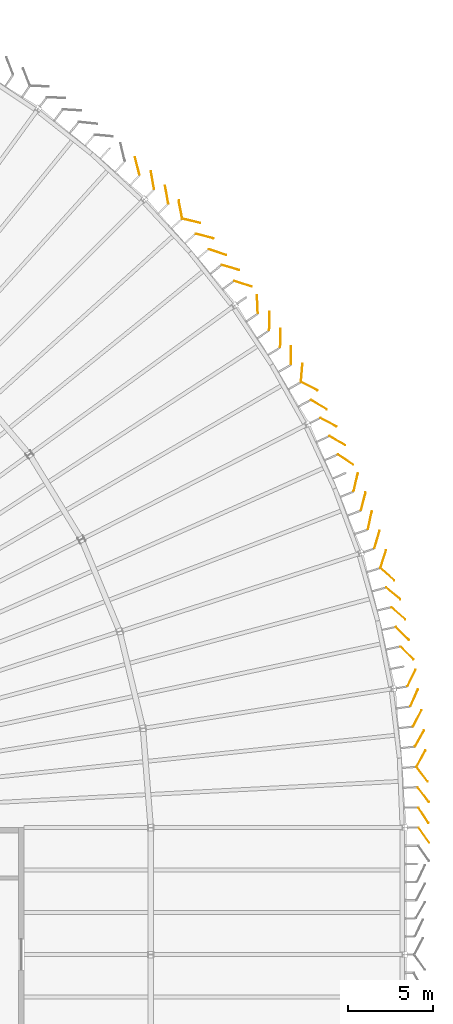
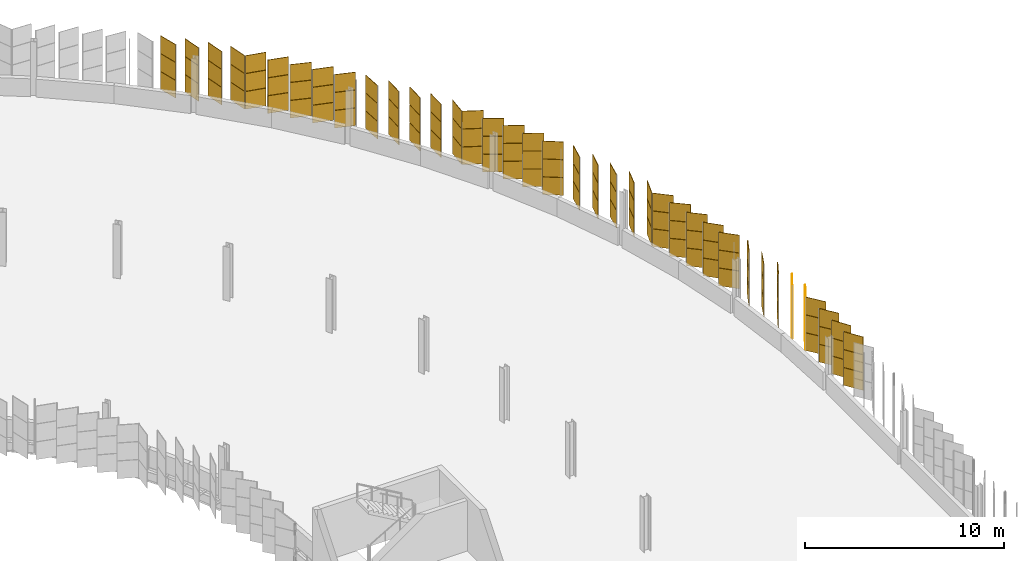
# One storey, part 210 of 214: 114 coverings.
"""IFC4 building model written with IfcOpenShell, lengths in metres."""

from ifc_helpers import new_model, si_unit, direction, frame, origin, origin_2d, place, context, subcontext, project, spatial, rectangle, extrude, material, layer, layer_set, type_object, element, save


model = new_model("IFC4")

# Units and contexts
model_context = context("Model", 3, precision=1e-05, world=origin(), true_north=direction((0.0, 1.0)))
body_context = subcontext(model_context, "Body", "Model", "MODEL_VIEW")
ifc_project = project(units=[si_unit("LENGTHUNIT", "METRE"), si_unit("AREAUNIT", "SQUARE_METRE"), si_unit("VOLUMEUNIT", "CUBIC_METRE"), si_unit("PLANEANGLEUNIT", "RADIAN"), si_unit("MASSUNIT", "GRAM", prefix="KILO")], contexts=[model_context])

# Site, building, storey
site_placement = place(None, origin())
site = spatial("IfcSite", under=ifc_project, at=site_placement, CompositionType="ELEMENT")
building_placement = place(site_placement, origin())
building = spatial("IfcBuilding", under=site, at=building_placement, Name="Parallax Yard Mobility Hub", CompositionType="ELEMENT")
storey_placement = place(building_placement, frame((0.0, 0.0, 3.300048828125)))
storey = spatial("IfcBuildingStorey", under=building, at=storey_placement, Name="L01", CompositionType="ELEMENT", Elevation=3.300048828125)

# Coverings
ifc_material_1 = material(Name="Aluminium panel, light oak finish", Category="aluminium")
ifc_layer_1 = layer(ifc_material_1, 0.030029296875)
ifc_layer_set_1 = layer_set([ifc_layer_1], Name="Skin panel 32.5 degree turn, oak finish")
covering_type_1 = type_object("IfcCoveringType", Name="Skin panel 32.5 degree turn, oak finish", PredefinedType="CLADDING", material=ifc_layer_set_1)
for number, where, z_axis, x_axis, name in (
    (1, (226.1123046875, 90.729248046875, 1.119873046875), (0.0, 0.0, 1.0), (0.54928828444, -0.835632922148, 0.0), "Skin panel 32.5 bay 41.1 row 2 level L01"),
    (2, (226.1123046875, 90.729248046875, 2.219970703125), (0.0, 0.0, 1.0), (0.54928828444, -0.835632922148, 0.0), "Skin panel 32.5 bay 41.1 row 3 level L01"),
    (3, (225.962646484375, 94.07958984375, 1.119873046875), (0.0, 0.0, 1.0), (0.475763913222, 0.879573020775, 0.0), "Skin panel 32.5 bay 41.4 row 2 level L01"),
    (4, (225.962646484375, 94.07958984375, 2.219970703125), (0.0, 0.0, 1.0), (0.475763913222, 0.879573020775, 0.0), "Skin panel 32.5 bay 41.4 row 3 level L01"),
    (5, (225.55908203125, 97.66455078125, 1.119873046875), (0.0, 0.0, 1.0), (0.398749068925, 0.917060074385, 0.0), "Skin panel 32.5 bay 41.7 row 2 level L01"),
    (6, (225.55908203125, 97.66455078125, 2.219970703125), (0.0, 0.0, 1.0), (0.398749068925, 0.917060074385, 0.0), "Skin panel 32.5 bay 41.7 row 3 level L01"),
    (7, (224.877197265625, 101.465087890625, 1.119873046875), (0.0, 0.0, 1.0), (0.704296037355, -0.709906396482, 0.0), "Skin panel 32.5 bay 42.3 row 2 level L01"),
    (8, (224.877197265625, 101.465087890625, 2.219970703125), (0.0, 0.0, 1.0), (0.704296037355, -0.709906396482, 0.0), "Skin panel 32.5 bay 42.3 row 3 level L01"),
    (9, (223.97998046875, 104.96728515625, 1.119873046875), (0.0, 0.0, 1.0), (0.743675964311, -0.668540245689, 0.0), "Skin panel 32.5 bay 42.6 row 2 level L01"),
    (10, (223.97998046875, 104.96728515625, 2.219970703125), (0.0, 0.0, 1.0), (0.743675964311, -0.668540245689, 0.0), "Skin panel 32.5 bay 42.6 row 3 level L01"),
    (11, (222.9453125, 108.15087890625, 1.119873046875), (0.0, 0.0, 1.0), (0.208688396455, 0.977982184493, 0.0), "Skin panel 32.5 bay 43.2 row 2 level L01"),
    (12, (222.9453125, 108.15087890625, 2.219970703125), (0.0, 0.0, 1.0), (0.208688396455, 0.977982184493, 0.0), "Skin panel 32.5 bay 43.2 row 3 level L01"),
    (13, (221.513916015625, 111.737060546875, 1.119873046875), (0.0, 0.0, 1.0), (0.831249435826, -0.555899609138, 0.0), "Skin panel 32.5 bay 43.5 row 2 level L01"),
    (14, (221.513916015625, 111.737060546875, 2.219970703125), (0.0, 0.0, 1.0), (0.831249435826, -0.555899609138, 0.0), "Skin panel 32.5 bay 43.5 row 3 level L01"),
    (15, (219.9306640625, 114.98681640625, 1.119873046875), (0.0, 0.0, 1.0), (0.861629160442, -0.507538362961, 0.0), "Skin panel 32.5 bay 44.1 row 2 level L01"),
    (16, (219.9306640625, 114.98681640625, 2.219970703125), (0.0, 0.0, 1.0), (0.861629160442, -0.507538362961, 0.0), "Skin panel 32.5 bay 44.1 row 3 level L01"),
    (17, (218.281982421875, 117.900146484375, 1.119873046875), (0.0, 0.0, 1.0), (0.010312967731, 0.999946819934, 0.0), "Skin panel 32.5 bay 44.4 row 2 level L01"),
    (18, (218.281982421875, 117.900146484375, 2.219970703125), (0.0, 0.0, 1.0), (0.010312967731, 0.999946819934, 0.0), "Skin panel 32.5 bay 44.4 row 3 level L01"),
    (19, (216.301025390625, 120.924072265625, 1.119873046875), (0.0, 0.0, 1.0), (-0.046789151046, 0.998904787927, 0.0), "Skin panel 32.5 bay 44.7 row 2 level L01"),
    (20, (216.301025390625, 120.924072265625, 2.219970703125), (0.0, 0.0, 1.0), (-0.046789151046, 0.998904787927, 0.0), "Skin panel 32.5 bay 44.7 row 3 level L01"),
    (21, (213.95458984375, 123.99072265625, 1.119873046875), (0.0, 0.0, 1.0), (0.94525973574, -0.32631891148, 0.0), "Skin panel 32.5 bay 45.3 row 2 level L01"),
    (22, (213.95458984375, 123.99072265625, 2.219970703125), (0.0, 0.0, 1.0), (0.94525973574, -0.32631891148, 0.0), "Skin panel 32.5 bay 45.3 row 3 level L01"),
    (23, (211.7578125, 126.516845703125, 1.119873046875), (0.0, 0.0, 1.0), (-0.188471566651, 0.982078646832, 0.0), "Skin panel 32.5 bay 45.6 row 2 level L01"),
    (24, (211.7578125, 126.516845703125, 2.219970703125), (0.0, 0.0, 1.0), (-0.188471566651, 0.982078646832, 0.0), "Skin panel 32.5 bay 45.6 row 3 level L01"),
    (25, (209.208740234375, 129.080810546875, 1.119873046875), (0.0, 0.0, 1.0), (-0.244231122126, 0.969717050992, 0.0), "Skin panel 32.5 bay 46.2 row 2 level L01"),
    (26, (209.208740234375, 129.080810546875, 2.219970703125), (0.0, 0.0, 1.0), (-0.244231122126, 0.969717050992, 0.0), "Skin panel 32.5 bay 46.2 row 3 level L01"),
):
    element("IfcCovering", number, at=place(storey_placement, frame(where, z_axis=z_axis, x_axis=x_axis)), inside=storey, type_object=covering_type_1, Name=name, ObjectType="SCREEN", PredefinedType="CLADDING", context=body_context, shape_type="SweptSolid", body=[
        extrude(rectangle(XDim=1.080078125, YDim=0.030029296875, at=origin_2d()), origin(), (0.0, 0.0, 1.0), 1.080078125),
    ])
ifc_material_2 = material(Name="Aluminium panel, walnut finish", Category="aluminium")
ifc_layer_2 = layer(ifc_material_2, 0.030029296875)
ifc_layer_set_2 = layer_set([ifc_layer_2], Name="Skin panel 32.5 degree turn, walnut finish")
covering_type_2 = type_object("IfcCoveringType", Name="Skin panel 32.5 degree turn, walnut finish", PredefinedType="CLADDING", material=ifc_layer_set_2)
for number, where, z_axis, x_axis, name in (
    (27, (226.1123046875, 90.729248046875, 0.02001953125), (0.0, 0.0, 1.0), (0.54928828444, -0.835632922148, 0.0), "Skin panel 32.5 bay 41.1 row 1 level L01"),
    (28, (225.962646484375, 94.07958984375, 0.02001953125), (0.0, 0.0, 1.0), (0.475763913222, 0.879573020775, 0.0), "Skin panel 32.5 bay 41.4 row 1 level L01"),
    (29, (225.55908203125, 97.66455078125, 0.02001953125), (0.0, 0.0, 1.0), (0.398749068925, 0.917060074385, 0.0), "Skin panel 32.5 bay 41.7 row 1 level L01"),
    (30, (224.877197265625, 101.465087890625, 0.02001953125), (0.0, 0.0, 1.0), (0.704296037355, -0.709906396482, 0.0), "Skin panel 32.5 bay 42.3 row 1 level L01"),
    (31, (223.97998046875, 104.96728515625, 0.02001953125), (0.0, 0.0, 1.0), (0.743675964311, -0.668540245689, 0.0), "Skin panel 32.5 bay 42.6 row 1 level L01"),
    (32, (222.9453125, 108.15087890625, 0.02001953125), (0.0, 0.0, 1.0), (0.208688396455, 0.977982184493, 0.0), "Skin panel 32.5 bay 43.2 row 1 level L01"),
    (33, (221.513916015625, 111.737060546875, 0.02001953125), (0.0, 0.0, 1.0), (0.831249435826, -0.555899609138, 0.0), "Skin panel 32.5 bay 43.5 row 1 level L01"),
    (34, (219.9306640625, 114.98681640625, 0.02001953125), (0.0, 0.0, 1.0), (0.861629160442, -0.507538362961, 0.0), "Skin panel 32.5 bay 44.1 row 1 level L01"),
    (35, (218.281982421875, 117.900146484375, 0.02001953125), (0.0, 0.0, 1.0), (0.010312967731, 0.999946819934, 0.0), "Skin panel 32.5 bay 44.4 row 1 level L01"),
    (36, (216.301025390625, 120.924072265625, 0.02001953125), (0.0, 0.0, 1.0), (-0.046789151046, 0.998904787927, 0.0), "Skin panel 32.5 bay 44.7 row 1 level L01"),
    (37, (213.95458984375, 123.99072265625, 0.02001953125), (0.0, 0.0, 1.0), (0.94525973574, -0.32631891148, 0.0), "Skin panel 32.5 bay 45.3 row 1 level L01"),
    (38, (211.7578125, 126.516845703125, 0.02001953125), (0.0, 0.0, 1.0), (-0.188471566651, 0.982078646832, 0.0), "Skin panel 32.5 bay 45.6 row 1 level L01"),
    (39, (209.208740234375, 129.080810546875, 0.02001953125), (0.0, 0.0, 1.0), (-0.244231122126, 0.969717050992, 0.0), "Skin panel 32.5 bay 46.2 row 1 level L01"),
):
    element("IfcCovering", number, at=place(storey_placement, frame(where, z_axis=z_axis, x_axis=x_axis)), inside=storey, type_object=covering_type_2, Name=name, ObjectType="SCREEN", PredefinedType="CLADDING", context=body_context, shape_type="SweptSolid", body=[
        extrude(rectangle(XDim=1.080078125, YDim=0.030029296875, at=origin_2d()), origin(), (0.0, 0.0, 1.0), 1.080078125),
    ])
ifc_layer_3 = layer(ifc_material_1, 0.030029296875)
ifc_layer_set_3 = layer_set([ifc_layer_3], Name="Skin panel 35 degree turn, oak finish")
covering_type_3 = type_object("IfcCoveringType", Name="Skin panel 35 degree turn, oak finish", PredefinedType="CLADDING", material=ifc_layer_set_3)
for number, where, z_axis, x_axis, name in (
    (40, (226.142822265625, 89.55419921875, 1.119873046875), (0.0, 0.0, 1.0), (0.573576436351, -0.819152044289, 0.0), "Skin panel 35 bay 40.7 row 2 level L01"),
    (41, (226.142822265625, 89.55419921875, 2.219970703125), (0.0, 0.0, 1.0), (0.573576436351, -0.819152044289, 0.0), "Skin panel 35 bay 40.7 row 3 level L01"),
    (42, (226.103271484375, 91.951171875, 1.119873046875), (0.0, 0.0, 1.0), (0.608131215552, -0.793836522636, 0.0), "Skin panel 35 bay 41.2 row 2 level L01"),
    (43, (226.103271484375, 91.951171875, 2.219970703125), (0.0, 0.0, 1.0), (0.608131215552, -0.793836522636, 0.0), "Skin panel 35 bay 41.2 row 3 level L01"),
    (44, (226.0361328125, 93.1484375, 1.119873046875), (0.0, 0.0, 1.0), (0.608131215552, -0.793836522636, 0.0), "Skin panel 35 bay 41.3 row 2 level L01"),
    (45, (226.0361328125, 93.1484375, 2.219970703125), (0.0, 0.0, 1.0), (0.608131215552, -0.793836522636, 0.0), "Skin panel 35 bay 41.3 row 3 level L01"),
    (46, (225.8779296875, 95.271240234375, 1.119873046875), (0.0, 0.0, 1.0), (0.488966877106, 0.872302351879, 0.0), "Skin panel 35 bay 41.5 row 2 level L01"),
    (47, (225.8779296875, 95.271240234375, 2.219970703125), (0.0, 0.0, 1.0), (0.488966877106, 0.872302351879, 0.0), "Skin panel 35 bay 41.5 row 3 level L01"),
    (48, (225.745849609375, 96.457275390625, 1.119873046875), (0.0, 0.0, 1.0), (0.463858946586, 0.885909068512, 0.0), "Skin panel 35 bay 41.6 row 2 level L01"),
    (49, (225.745849609375, 96.457275390625, 2.219970703125), (0.0, 0.0, 1.0), (0.463858946586, 0.885909068512, 0.0), "Skin panel 35 bay 41.6 row 3 level L01"),
    (50, (225.406005859375, 98.8408203125, 1.119873046875), (0.0, 0.0, 1.0), (0.438371146789, 0.898794046299, 0.0), "Skin panel 35 bay 42.1 row 2 level L01"),
    (51, (225.406005859375, 98.8408203125, 2.219970703125), (0.0, 0.0, 1.0), (0.438371146789, 0.898794046299, 0.0), "Skin panel 35 bay 42.1 row 3 level L01"),
    (52, (225.135009765625, 100.313232421875, 1.119873046875), (0.0, 0.0, 1.0), (0.714917031434, -0.699209294965, 0.0), "Skin panel 35 bay 42.2 row 2 level L01"),
    (53, (225.135009765625, 100.313232421875, 2.219970703125), (0.0, 0.0, 1.0), (0.714917031434, -0.699209294965, 0.0), "Skin panel 35 bay 42.2 row 3 level L01"),
    (54, (224.62255859375, 102.660400390625, 1.119873046875), (0.0, 0.0, 1.0), (0.753667790395, -0.657255552826, 0.0), "Skin panel 35 bay 42.4 row 2 level L01"),
    (55, (224.62255859375, 102.660400390625, 2.219970703125), (0.0, 0.0, 1.0), (0.753667790395, -0.657255552826, 0.0), "Skin panel 35 bay 42.4 row 3 level L01"),
    (56, (224.326416015625, 103.83251953125, 1.119873046875), (0.0, 0.0, 1.0), (0.772129465524, -0.63546525355, 0.0), "Skin panel 35 bay 42.5 row 2 level L01"),
    (57, (224.326416015625, 103.83251953125, 2.219970703125), (0.0, 0.0, 1.0), (0.772129465524, -0.63546525355, 0.0), "Skin panel 35 bay 42.5 row 3 level L01"),
    (58, (223.736328125, 105.868896484375, 1.119873046875), (0.0, 0.0, 1.0), (0.305997733365, 0.952032240618, 0.0), "Skin panel 35 bay 42.7 row 2 level L01"),
    (59, (223.736328125, 105.868896484375, 2.219970703125), (0.0, 0.0, 1.0), (0.305997733365, 0.952032240618, 0.0), "Skin panel 35 bay 42.7 row 3 level L01"),
    (60, (223.366455078125, 107.019775390625, 1.119873046875), (0.0, 0.0, 1.0), (0.278686054753, 0.960382258732, 0.0), "Skin panel 35 bay 43.1 row 2 level L01"),
    (61, (223.366455078125, 107.019775390625, 2.219970703125), (0.0, 0.0, 1.0), (0.278686054753, 0.960382258732, 0.0), "Skin panel 35 bay 43.1 row 3 level L01"),
    (62, (222.55859375, 109.272705078125, 1.119873046875), (0.0, 0.0, 1.0), (0.251148755085, 0.967948502152, 0.0), "Skin panel 35 bay 43.3 row 2 level L01"),
    (63, (222.55859375, 109.272705078125, 2.219970703125), (0.0, 0.0, 1.0), (0.251148755085, 0.967948502152, 0.0), "Skin panel 35 bay 43.3 row 3 level L01"),
    (64, (222.109619140625, 110.394775390625, 1.119873046875), (0.0, 0.0, 1.0), (0.223404929604, 0.974725724206, 0.0), "Skin panel 35 bay 43.4 row 2 level L01"),
    (65, (222.109619140625, 110.394775390625, 2.219970703125), (0.0, 0.0, 1.0), (0.223404929604, 0.974725724206, 0.0), "Skin panel 35 bay 43.4 row 3 level L01"),
    (66, (221.024169921875, 112.856689453125, 1.119873046875), (0.0, 0.0, 1.0), (0.869180952867, -0.494494156864, 0.0), "Skin panel 35 bay 43.6 row 2 level L01"),
    (67, (221.024169921875, 112.856689453125, 2.219970703125), (0.0, 0.0, 1.0), (0.869180952867, -0.494494156864, 0.0), "Skin panel 35 bay 43.6 row 3 level L01"),
    (68, (220.498291015625, 113.945068359375, 1.119873046875), (0.0, 0.0, 1.0), (0.882947592859, -0.469471562786, 0.0), "Skin panel 35 bay 43.7 row 2 level L01"),
    (69, (220.498291015625, 113.945068359375, 2.219970703125), (0.0, 0.0, 1.0), (0.882947592859, -0.469471562786, 0.0), "Skin panel 35 bay 43.7 row 3 level L01"),
    (70, (219.3720703125, 116.073486328125, 1.119873046875), (0.0, 0.0, 1.0), (0.895994056125, -0.44406604395, 0.0), "Skin panel 35 bay 44.2 row 2 level L01"),
    (71, (219.3720703125, 116.073486328125, 2.219970703125), (0.0, 0.0, 1.0), (0.895994056125, -0.44406604395, 0.0), "Skin panel 35 bay 44.2 row 3 level L01"),
    (72, (218.91943359375, 116.875, 1.119873046875), (0.0, 0.0, 1.0), (0.082413371996, 0.996598232046, 0.0), "Skin panel 35 bay 44.3 row 2 level L01"),
    (73, (218.91943359375, 116.875, 2.219970703125), (0.0, 0.0, 1.0), (0.082413371996, 0.996598232046, 0.0), "Skin panel 35 bay 44.3 row 3 level L01"),
    (74, (217.66162109375, 118.921630859375, 1.119873046875), (0.0, 0.0, 1.0), (0.025383087454, 0.999677797528, 0.0), "Skin panel 35 bay 44.5 row 2 level L01"),
    (75, (217.66162109375, 118.921630859375, 2.219970703125), (0.0, 0.0, 1.0), (0.025383087454, 0.999677797528, 0.0), "Skin panel 35 bay 44.5 row 3 level L01"),
    (76, (217.011962890625, 119.929931640625, 1.119873046875), (0.0, 0.0, 1.0), (0.025383087454, 0.999677797528, 0.0), "Skin panel 35 bay 44.6 row 2 level L01"),
    (77, (217.011962890625, 119.929931640625, 2.219970703125), (0.0, 0.0, 1.0), (0.025383087454, 0.999677797528, 0.0), "Skin panel 35 bay 44.6 row 3 level L01"),
    (78, (215.4541015625, 122.123779296875, 1.119873046875), (0.0, 0.0, 1.0), (0.950071216759, -0.31203314421, 0.0), "Skin panel 35 bay 45.1 row 2 level L01"),
    (79, (215.4541015625, 122.123779296875, 2.219970703125), (0.0, 0.0, 1.0), (0.950071216759, -0.31203314421, 0.0), "Skin panel 35 bay 45.1 row 3 level L01"),
    (80, (214.72021484375, 123.084228515625, 1.119873046875), (0.0, 0.0, 1.0), (0.958593888928, -0.284776677608, 0.0), "Skin panel 35 bay 45.2 row 2 level L01"),
    (81, (214.72021484375, 123.084228515625, 2.219970703125), (0.0, 0.0, 1.0), (0.958593888928, -0.284776677608, 0.0), "Skin panel 35 bay 45.2 row 3 level L01"),
    (82, (213.188720703125, 124.943115234375, 1.119873046875), (0.0, 0.0, 1.0), (0.966335228027, -0.257286274555, 0.0), "Skin panel 35 bay 45.4 row 2 level L01"),
    (83, (213.188720703125, 124.943115234375, 2.219970703125), (0.0, 0.0, 1.0), (0.966335228027, -0.257286274555, 0.0), "Skin panel 35 bay 45.4 row 3 level L01"),
    (84, (212.404052734375, 125.8427734375, 1.119873046875), (0.0, 0.0, 1.0), (0.973288375226, -0.229586015799, 0.0), "Skin panel 35 bay 45.5 row 2 level L01"),
    (85, (212.404052734375, 125.8427734375, 2.219970703125), (0.0, 0.0, 1.0), (0.973288375226, -0.229586015799, 0.0), "Skin panel 35 bay 45.5 row 3 level L01"),
    (86, (210.944580078125, 127.392822265625, 1.119873046875), (0.0, 0.0, 1.0), (-0.173648177667, 0.984807753012, 0.0), "Skin panel 35 bay 45.7 row 2 level L01"),
    (87, (210.944580078125, 127.392822265625, 2.219970703125), (0.0, 0.0, 1.0), (-0.173648177667, 0.984807753012, 0.0), "Skin panel 35 bay 45.7 row 3 level L01"),
    (88, (210.10498046875, 128.25, 1.119873046875), (0.0, 0.0, 1.0), (-0.173648177667, 0.984807753012, 0.0), "Skin panel 35 bay 46.1 row 2 level L01"),
    (89, (210.10498046875, 128.25, 2.219970703125), (0.0, 0.0, 1.0), (-0.173648177667, 0.984807753012, 0.0), "Skin panel 35 bay 46.1 row 3 level L01"),
):
    element("IfcCovering", number, at=place(storey_placement, frame(where, z_axis=z_axis, x_axis=x_axis)), inside=storey, type_object=covering_type_3, Name=name, ObjectType="SCREEN", PredefinedType="CLADDING", context=body_context, shape_type="SweptSolid", body=[
        extrude(rectangle(XDim=1.080078125, YDim=0.030029296875, at=origin_2d()), origin(), (0.0, 0.0, 1.0), 1.080078125),
    ])
ifc_layer_4 = layer(ifc_material_2, 0.030029296875)
ifc_layer_set_4 = layer_set([ifc_layer_4], Name="Skin panel 35 degree turn, walnut finish")
covering_type_4 = type_object("IfcCoveringType", Name="Skin panel 35 degree turn, walnut finish", PredefinedType="CLADDING", material=ifc_layer_set_4)
for number, where, z_axis, x_axis, name in (
    (90, (226.142822265625, 89.55419921875, 0.02001953125), (0.0, 0.0, 1.0), (0.573576436351, -0.819152044289, 0.0), "Skin panel 35 bay 40.7 row 1 level L01"),
    (91, (226.103271484375, 91.951171875, 0.02001953125), (0.0, 0.0, 1.0), (0.608131215552, -0.793836522636, 0.0), "Skin panel 35 bay 41.2 row 1 level L01"),
    (92, (226.0361328125, 93.1484375, 0.02001953125), (0.0, 0.0, 1.0), (0.608131215552, -0.793836522636, 0.0), "Skin panel 35 bay 41.3 row 1 level L01"),
    (93, (225.8779296875, 95.271240234375, 0.02001953125), (0.0, 0.0, 1.0), (0.488966877106, 0.872302351879, 0.0), "Skin panel 35 bay 41.5 row 1 level L01"),
    (94, (225.745849609375, 96.457275390625, 0.02001953125), (0.0, 0.0, 1.0), (0.463858946586, 0.885909068512, 0.0), "Skin panel 35 bay 41.6 row 1 level L01"),
    (95, (225.406005859375, 98.8408203125, 0.02001953125), (0.0, 0.0, 1.0), (0.438371146789, 0.898794046299, 0.0), "Skin panel 35 bay 42.1 row 1 level L01"),
    (96, (225.135009765625, 100.313232421875, 0.02001953125), (0.0, 0.0, 1.0), (0.714917031434, -0.699209294965, 0.0), "Skin panel 35 bay 42.2 row 1 level L01"),
    (97, (224.62255859375, 102.660400390625, 0.02001953125), (0.0, 0.0, 1.0), (0.753667790395, -0.657255552826, 0.0), "Skin panel 35 bay 42.4 row 1 level L01"),
    (98, (224.326416015625, 103.83251953125, 0.02001953125), (0.0, 0.0, 1.0), (0.772129465524, -0.63546525355, 0.0), "Skin panel 35 bay 42.5 row 1 level L01"),
    (99, (223.736328125, 105.868896484375, 0.02001953125), (0.0, 0.0, 1.0), (0.305997733365, 0.952032240618, 0.0), "Skin panel 35 bay 42.7 row 1 level L01"),
    (100, (223.366455078125, 107.019775390625, 0.02001953125), (0.0, 0.0, 1.0), (0.278686054753, 0.960382258732, 0.0), "Skin panel 35 bay 43.1 row 1 level L01"),
    (101, (222.55859375, 109.272705078125, 0.02001953125), (0.0, 0.0, 1.0), (0.251148755085, 0.967948502152, 0.0), "Skin panel 35 bay 43.3 row 1 level L01"),
    (102, (222.109619140625, 110.394775390625, 0.02001953125), (0.0, 0.0, 1.0), (0.223404929604, 0.974725724206, 0.0), "Skin panel 35 bay 43.4 row 1 level L01"),
    (103, (221.024169921875, 112.856689453125, 0.02001953125), (0.0, 0.0, 1.0), (0.869180952867, -0.494494156864, 0.0), "Skin panel 35 bay 43.6 row 1 level L01"),
    (104, (220.498291015625, 113.945068359375, 0.02001953125), (0.0, 0.0, 1.0), (0.882947592859, -0.469471562786, 0.0), "Skin panel 35 bay 43.7 row 1 level L01"),
    (105, (219.3720703125, 116.073486328125, 0.02001953125), (0.0, 0.0, 1.0), (0.895994056125, -0.44406604395, 0.0), "Skin panel 35 bay 44.2 row 1 level L01"),
    (106, (218.91943359375, 116.875, 0.02001953125), (0.0, 0.0, 1.0), (0.082413371996, 0.996598232046, 0.0), "Skin panel 35 bay 44.3 row 1 level L01"),
    (107, (217.66162109375, 118.921630859375, 0.02001953125), (0.0, 0.0, 1.0), (0.025383087454, 0.999677797528, 0.0), "Skin panel 35 bay 44.5 row 1 level L01"),
    (108, (217.011962890625, 119.929931640625, 0.02001953125), (0.0, 0.0, 1.0), (0.025383087454, 0.999677797528, 0.0), "Skin panel 35 bay 44.6 row 1 level L01"),
    (109, (215.4541015625, 122.123779296875, 0.02001953125), (0.0, 0.0, 1.0), (0.950071216759, -0.31203314421, 0.0), "Skin panel 35 bay 45.1 row 1 level L01"),
    (110, (214.72021484375, 123.084228515625, 0.02001953125), (0.0, 0.0, 1.0), (0.958593888928, -0.284776677608, 0.0), "Skin panel 35 bay 45.2 row 1 level L01"),
    (111, (213.188720703125, 124.943115234375, 0.02001953125), (0.0, 0.0, 1.0), (0.966335228027, -0.257286274555, 0.0), "Skin panel 35 bay 45.4 row 1 level L01"),
    (112, (212.404052734375, 125.8427734375, 0.02001953125), (0.0, 0.0, 1.0), (0.973288375226, -0.229586015799, 0.0), "Skin panel 35 bay 45.5 row 1 level L01"),
    (113, (210.944580078125, 127.392822265625, 0.02001953125), (0.0, 0.0, 1.0), (-0.173648177667, 0.984807753012, 0.0), "Skin panel 35 bay 45.7 row 1 level L01"),
    (114, (210.10498046875, 128.25, 0.02001953125), (0.0, 0.0, 1.0), (-0.173648177667, 0.984807753012, 0.0), "Skin panel 35 bay 46.1 row 1 level L01"),
):
    element("IfcCovering", number, at=place(storey_placement, frame(where, z_axis=z_axis, x_axis=x_axis)), inside=storey, type_object=covering_type_4, Name=name, ObjectType="SCREEN", PredefinedType="CLADDING", context=body_context, shape_type="SweptSolid", body=[
        extrude(rectangle(XDim=1.080078125, YDim=0.030029296875, at=origin_2d()), origin(), (0.0, 0.0, 1.0), 1.080078125),
    ])

save(model, "model.ifc")
